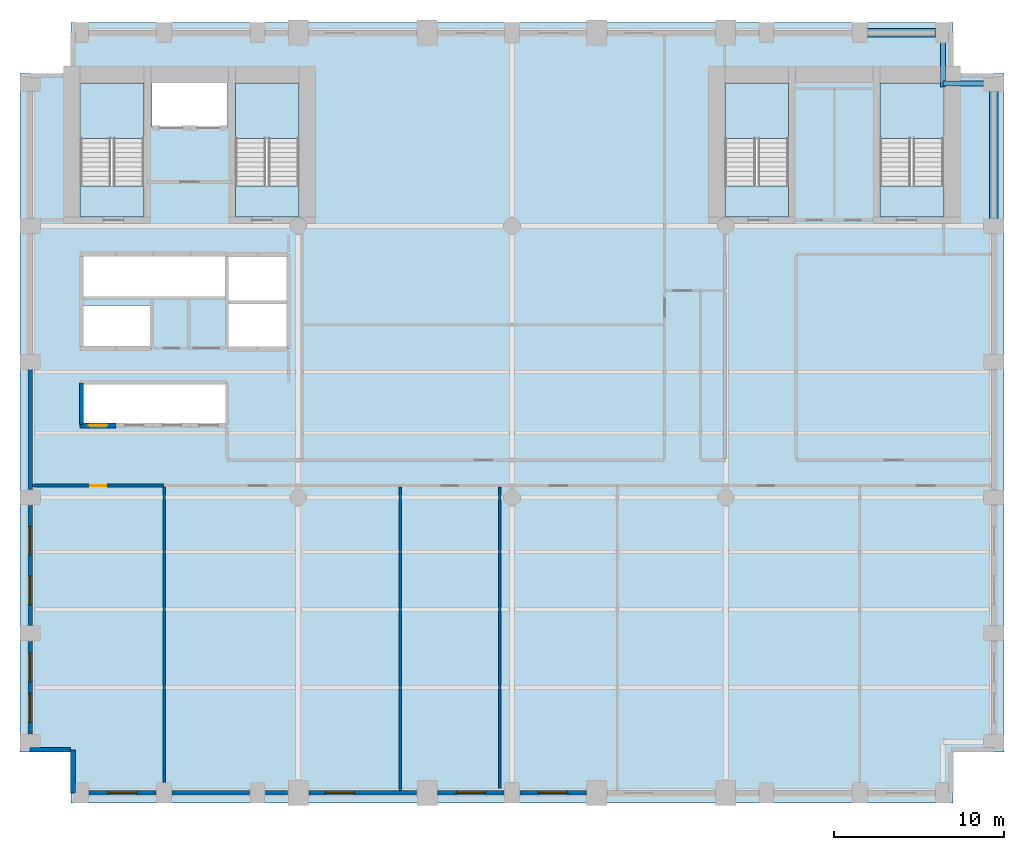
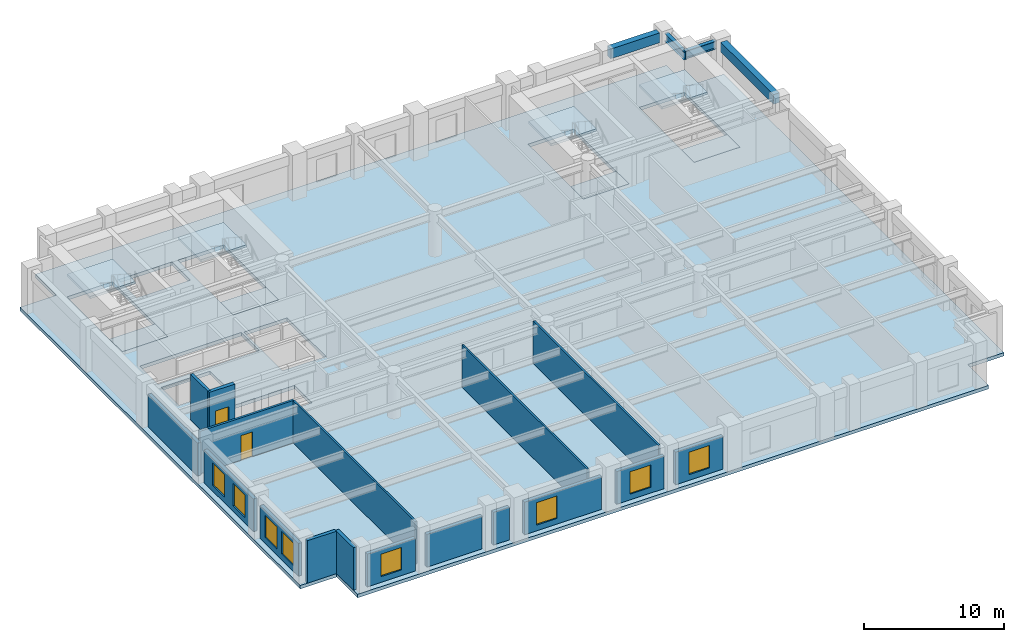
# One storey, part 2 of 8: 17 walls, 9 slabs, 8 windows, 4 beams, 2 doors, 10 openings, 4 elements without a shape of their own.
"""IFC4 building model written with IfcOpenShell, lengths in metres."""

from ifc_helpers import new_model, si_unit, direction, frame, frame_2d, origin, origin_2d, place, context, subcontext, project, spatial, polyline, rectangle, i_section, outline, extrude, material, layer, layer_set, material_profile, profile_set, type_object, element, fill, aggregate, save


model = new_model("IFC4")

# Units and contexts
model_context = context("Model", 3, precision=1e-05, world=origin(), true_north=direction((0.0, 1.0)))
body_context = subcontext(model_context, "Body", "Model", "MODEL_VIEW")
ifc_project = project(units=[si_unit("LENGTHUNIT", "METRE"), si_unit("AREAUNIT", "SQUARE_METRE"), si_unit("VOLUMEUNIT", "CUBIC_METRE"), si_unit("PLANEANGLEUNIT", "RADIAN"), si_unit("MASSUNIT", "GRAM", prefix="KILO")], contexts=[model_context])

# Site, building, storey
site_placement = place(None, origin())
site = spatial("IfcSite", under=ifc_project, at=site_placement, CompositionType="ELEMENT")
building_placement = place(site_placement, origin())
building = spatial("IfcBuilding", under=site, at=building_placement, Name="Sulina Concourse Tower", CompositionType="ELEMENT")
storey_placement = place(building_placement, frame((0.0, 0.0, 70.60009765625)))
storey = spatial("IfcBuildingStorey", under=building, at=storey_placement, Name="L17", CompositionType="ELEMENT", Elevation=70.60009765625)

# Beams
ifc_material_1 = material(Name="Steel S355", Category="steel")
ifc_material_profile_1 = material_profile(ifc_material_1, i_section(OverallWidth=0.300048828125, OverallDepth=0.699951171875, WebThickness=0.01708984375, FlangeThickness=0.031982421875, at=origin_2d()), Name="HE 700 B")
ifc_profile_set_1 = profile_set([ifc_material_profile_1], Name="Steel S355")
beam_type_1 = type_object("IfcBeamType", Name="Floor Primary Girder Zone 1 HE700B", PredefinedType="BEAM", material=ifc_profile_set_1)
beam_1_placement = place(storey_placement, frame((54.39990234375, 42.39990234375, 3.349853515625), z_axis=(1.0, 0.0, 0.0), x_axis=(0.0, 1.0, 0.0)))
element("IfcBeam", 1, at=beam_1_placement, inside=storey, type_object=beam_type_1, Name="TIE-NE-L17", PredefinedType="BEAM", context=body_context, shape_type="SweptSolid", body=[
    extrude(i_section(OverallWidth=0.300048828125, OverallDepth=0.699951171875, WebThickness=0.01708984375, FlangeThickness=0.031982421875, at=origin_2d()), origin(), (0.0, 0.0, 1.0), 2.570068359375),
])
beam_2_placement = place(storey_placement, frame((54.39990234375, 42.199951171875, 3.349853515625), z_axis=(0.0, 1.0, 0.0), x_axis=(-1.0, 0.0, 0.0)))
element("IfcBeam", 2, at=beam_2_placement, inside=storey, type_object=beam_type_1, Name="TIE-NEN-L17", PredefinedType="BEAM", context=body_context, shape_type="SweptSolid", body=[
    extrude(i_section(OverallWidth=0.300048828125, OverallDepth=0.699951171875, WebThickness=0.01708984375, FlangeThickness=0.031982421875, at=origin_2d()), origin(), (0.0, 0.0, 1.0), 2.77001953125),
])
ifc_material_2 = material(Name="Precast concrete C50/60", Category="concrete")
ifc_material_profile_2 = material_profile(ifc_material_2, rectangle(XDim=0.5, YDim=0.85009765625, at=origin_2d()), Name="RC 500x850")
ifc_profile_set_2 = profile_set([ifc_material_profile_2], Name="Precast concrete C50/60")
beam_type_2 = type_object("IfcBeamType", Name="Lower Precast Spandrel Edge Beam 500x850", PredefinedType="BEAM", material=ifc_profile_set_2)
beam_3_placement = place(storey_placement, frame((49.929931640625, 45.39990234375, 3.27490234375), z_axis=(1.0, 0.0, 0.0), x_axis=(0.0, 1.0, 0.0)))
element("IfcBeam", 3, at=beam_3_placement, inside=storey, type_object=beam_type_2, Name="SP-N10-L17", PredefinedType="BEAM", context=body_context, shape_type="SweptSolid", body=[
    extrude(rectangle(XDim=0.5, YDim=0.85009765625, at=origin_2d()), origin(), (0.0, 0.0, 1.0), 4.0400390625),
])
beam_4_placement = place(storey_placement, frame((57.39990234375, 34.429931640625, 3.27490234375), z_axis=(0.0, 1.0, 0.0), x_axis=(-1.0, 0.0, 0.0)))
element("IfcBeam", 4, at=beam_4_placement, inside=storey, type_object=beam_type_2, Name="SP-E5-L17", PredefinedType="BEAM", context=body_context, shape_type="SweptSolid", body=[
    extrude(rectangle(XDim=0.5, YDim=0.85009765625, at=origin_2d()), origin(), (0.0, 0.0, 1.0), 7.5400390625),
])

# Slabs
ifc_material_3 = material(Name="Concrete C50/60", Category="concrete")
ifc_layer_1 = layer(ifc_material_3, 0.300048828125)
ifc_layer_set_1 = layer_set([ifc_layer_1], Name="Concrete C50/60")
slab_type_1 = type_object("IfcSlabType", Name="Low-Rise Composite Floor Slab 300mm", PredefinedType="FLOOR", material=ifc_layer_set_1)
slab_1_placement = place(storey_placement, frame((0.0, 0.0, -0.300048828125)))
element("IfcSlab", 5, at=slab_1_placement, inside=storey, type_object=slab_type_1, Name="L17 structural floor slab", PredefinedType="FLOOR", context=body_context, shape_type="SweptSolid", body=[
    extrude(outline(polyline([(3.0, 0.0), (55.0, 0.0), (55.0, 3.0), (58.0, 3.0), (58.0, 43.0), (55.0, 43.0), (55.0, 46.0), (3.0, 46.0), (3.0, 43.0), (0.0, 43.0), (0.0, 3.0), (3.0, 3.0), (3.0, 0.0)]), holes=[polyline([(7.31005859375, 34.550048828125), (7.31005859375, 42.429931640625), (3.550048828125, 42.429931640625), (3.550048828125, 34.550048828125), (7.31005859375, 34.550048828125)]), polyline([(16.449951171875, 34.550048828125), (16.449951171875, 42.429931640625), (12.68994140625, 42.429931640625), (12.68994140625, 34.550048828125), (16.449951171875, 34.550048828125)]), polyline([(45.31005859375, 34.550048828125), (45.31005859375, 42.429931640625), (41.550048828125, 42.429931640625), (41.550048828125, 34.550048828125), (45.31005859375, 34.550048828125)]), polyline([(54.449951171875, 34.550048828125), (54.449951171875, 42.429931640625), (50.68994140625, 42.429931640625), (50.68994140625, 34.550048828125), (54.449951171875, 34.550048828125)]), polyline([(7.780029296875, 39.830078125), (12.219970703125, 39.830078125), (12.219970703125, 42.449951171875), (7.780029296875, 42.449951171875), (7.780029296875, 39.830078125)]), polyline([(3.739990234375, 26.780029296875), (7.77001953125, 26.780029296875), (7.77001953125, 29.320068359375), (3.739990234375, 29.320068359375), (3.739990234375, 26.780029296875)]), polyline([(3.739990234375, 29.780029296875), (12.10009765625, 29.780029296875), (12.10009765625, 32.3701171875), (3.739990234375, 32.3701171875), (3.739990234375, 29.780029296875)]), polyline([(3.739990234375, 22.280029296875), (12.10009765625, 22.280029296875), (12.10009765625, 24.77001953125), (3.739990234375, 24.77001953125), (3.739990234375, 22.280029296875)]), polyline([(12.280029296875, 26.780029296875), (15.85009765625, 26.780029296875), (15.85009765625, 32.320068359375), (12.280029296875, 32.320068359375), (12.280029296875, 26.780029296875)])]), origin(), (0.0, 0.0, 1.0), 0.300048828125),
])
ifc_material_4 = material(Name="Concrete C50/60", Category="concrete")
ifc_layer_2 = layer(ifc_material_4, 0.199951171875)
ifc_layer_set_2 = layer_set([ifc_layer_2], Name="Concrete C50/60")
slab_type_2 = type_object("IfcSlabType", Name="Primary Core Stair Landing Slab 200mm", PredefinedType="LANDING", material=ifc_layer_set_2)
slab_2_placement = place(storey_placement, frame((0.0, 0.0, -0.2001953125)))
element("IfcSlab", 6, at=slab_2_placement, inside=storey, type_object=slab_type_2, Name="L17 ST-1 floor landing slab", PredefinedType="LANDING", context=body_context, shape_type="SweptSolid", body=[
    extrude(outline(polyline([(7.31005859375, 34.550048828125), (7.31005859375, 36.375), (3.550048828125, 36.375), (3.550048828125, 34.550048828125), (7.31005859375, 34.550048828125)])), origin(), (0.0, 0.0, 1.0), 0.2001953125),
])
slab_3_placement = place(storey_placement, frame((0.0, 0.0, -0.2001953125)))
element("IfcSlab", 7, at=slab_3_placement, inside=storey, type_object=slab_type_2, Name="L17 ST-2 floor landing slab", PredefinedType="LANDING", context=body_context, shape_type="SweptSolid", body=[
    extrude(outline(polyline([(16.449951171875, 34.550048828125), (16.449951171875, 36.375), (12.68994140625, 36.375), (12.68994140625, 34.550048828125), (16.449951171875, 34.550048828125)])), origin(), (0.0, 0.0, 1.0), 0.2001953125),
])
slab_4_placement = place(storey_placement, frame((0.0, 0.0, -0.2001953125)))
element("IfcSlab", 8, at=slab_4_placement, inside=storey, type_object=slab_type_2, Name="L17 ST-3 floor landing slab", PredefinedType="LANDING", context=body_context, shape_type="SweptSolid", body=[
    extrude(outline(polyline([(45.31005859375, 34.550048828125), (45.31005859375, 36.375), (41.550048828125, 36.375), (41.550048828125, 34.550048828125), (45.31005859375, 34.550048828125)])), origin(), (0.0, 0.0, 1.0), 0.2001953125),
])
slab_5_placement = place(storey_placement, frame((0.0, 0.0, -0.2001953125)))
element("IfcSlab", 9, at=slab_5_placement, inside=storey, type_object=slab_type_2, Name="L17 ST-4 floor landing slab", PredefinedType="LANDING", context=body_context, shape_type="SweptSolid", body=[
    extrude(outline(polyline([(54.449951171875, 34.550048828125), (54.449951171875, 36.375), (50.68994140625, 36.375), (50.68994140625, 34.550048828125), (54.449951171875, 34.550048828125)])), origin(), (0.0, 0.0, 1.0), 0.2001953125),
])

# Stair, slab
ifc_material_5 = material(Name="Concrete C50/60", Category="concrete")
stair_type_1 = type_object("IfcStairType", Name="Primary Core Dog-Leg Exit Stair 1800mm", PredefinedType="HALF_TURN_STAIR", material=ifc_material_5)
stair_1_placement = place(storey_placement, origin())
stair_1 = element("IfcStair", 10, at=stair_1_placement, inside=storey, type_object=stair_type_1, Name="L17 ST-1", PredefinedType="HALF_TURN_STAIR")
slab_6_placement = place(storey_placement, frame((0.0, 0.0, 1.7998046875)))
slab_6 = element("IfcSlab", 11, at=slab_6_placement, type_object=slab_type_2, Name="ST-1 landing 1", PredefinedType="LANDING", context=body_context, shape_type="SweptSolid", body=[
    extrude(outline(polyline([(7.304931640625, 39.175048828125), (7.304931640625, 42.425048828125), (3.554931640625, 42.425048828125), (3.554931640625, 39.175048828125), (7.304931640625, 39.175048828125)])), origin(), (0.0, 0.0, 1.0), 0.2001953125),
])
aggregate(stair_1, [slab_6])

stair_2_placement = place(storey_placement, origin())
stair_2 = element("IfcStair", 12, at=stair_2_placement, inside=storey, type_object=stair_type_1, Name="L17 ST-2", PredefinedType="HALF_TURN_STAIR")
slab_7_placement = place(storey_placement, frame((0.0, 0.0, 1.7998046875)))
slab_7 = element("IfcSlab", 13, at=slab_7_placement, type_object=slab_type_2, Name="ST-2 landing 1", PredefinedType="LANDING", context=body_context, shape_type="SweptSolid", body=[
    extrude(outline(polyline([(16.445068359375, 39.175048828125), (16.445068359375, 42.425048828125), (12.695068359375, 42.425048828125), (12.695068359375, 39.175048828125), (16.445068359375, 39.175048828125)])), origin(), (0.0, 0.0, 1.0), 0.2001953125),
])
aggregate(stair_2, [slab_7])

ifc_material_6 = material(Name="Concrete C50/60", Category="concrete")
stair_type_2 = type_object("IfcStairType", Name="Portal & Podium Core Exit Stair 1820mm", PredefinedType="HALF_TURN_STAIR", material=ifc_material_6)
stair_3_placement = place(storey_placement, origin())
stair_3 = element("IfcStair", 14, at=stair_3_placement, inside=storey, type_object=stair_type_2, Name="L17 ST-3", PredefinedType="HALF_TURN_STAIR")
slab_8_placement = place(storey_placement, frame((0.0, 0.0, 1.7998046875)))
slab_8 = element("IfcSlab", 15, at=slab_8_placement, type_object=slab_type_2, Name="ST-3 landing 1", PredefinedType="LANDING", context=body_context, shape_type="SweptSolid", body=[
    extrude(outline(polyline([(45.304931640625, 39.175048828125), (45.304931640625, 42.425048828125), (41.554931640625, 42.425048828125), (41.554931640625, 39.175048828125), (45.304931640625, 39.175048828125)])), origin(), (0.0, 0.0, 1.0), 0.2001953125),
])
aggregate(stair_3, [slab_8])

stair_4_placement = place(storey_placement, origin())
stair_4 = element("IfcStair", 16, at=stair_4_placement, inside=storey, type_object=stair_type_2, Name="L17 ST-4", PredefinedType="HALF_TURN_STAIR")
slab_9_placement = place(storey_placement, frame((0.0, 0.0, 1.7998046875)))
slab_9 = element("IfcSlab", 17, at=slab_9_placement, type_object=slab_type_2, Name="ST-4 landing 1", PredefinedType="LANDING", context=body_context, shape_type="SweptSolid", body=[
    extrude(outline(polyline([(54.445068359375, 39.175048828125), (54.445068359375, 42.425048828125), (50.695068359375, 42.425048828125), (50.695068359375, 39.175048828125), (54.445068359375, 39.175048828125)])), origin(), (0.0, 0.0, 1.0), 0.2001953125),
])
aggregate(stair_4, [slab_9])

# Wall
ifc_material_7 = material(Name="Concrete C50/60", Category="concrete")
ifc_layer_3 = layer(ifc_material_7, 0.219970703125)
ifc_layer_set_3 = layer_set([ifc_layer_3], Name="Concrete C50/60")
wall_type_1 = type_object("IfcWallType", Name="Core Lift Hoistway Divider Wall 220mm", PredefinedType="SOLIDWALL", material=ifc_layer_set_3)
wall_1_placement = place(storey_placement, frame((3.6298828125, 22.300048828125, 0.0), z_axis=(0.0, 0.0, 1.0), x_axis=(0.0, 1.0, 0.0)))
element("IfcWall", 18, at=wall_1_placement, inside=storey, type_object=wall_type_1, Name="L17 shaft divider wall HW-LP1-W", PredefinedType="SOLIDWALL", context=body_context, shape_type="SweptSolid", body=[
    extrude(rectangle(XDim=2.449951171875, YDim=0.219970703125, at=frame_2d((1.22509765625, 0.0))), origin(), (0.0, 0.0, 1.0), 4.0),
])

# Wall, opening, door
ifc_material_8 = material(Name="Concrete C50/60", Category="concrete")
ifc_layer_4 = layer(ifc_material_8, 0.300048828125)
ifc_layer_set_4 = layer_set([ifc_layer_4], Name="Concrete C50/60")
wall_type_2 = type_object("IfcWallType", Name="Core Lift Hoistway Wall 300mm", PredefinedType="SOLIDWALL", material=ifc_layer_set_4)
wall_2_placement = place(storey_placement, frame((5.64990234375, 22.25, 0.0), z_axis=(0.0, 0.0, 1.0), x_axis=(-1.0, 0.0, 0.0)))
wall_2 = element("IfcWall", 19, at=wall_2_placement, inside=storey, type_object=wall_type_2, Name="L17 hoistway enclosure wall LP-01", PredefinedType="SOLIDWALL", context=body_context, shape_type="SweptSolid", body=[
    extrude(rectangle(XDim=2.099853515625, YDim=0.300048828125, at=frame_2d((1.0498046875, 0.0))), origin(), (0.0, 0.0, 1.0), 4.0),
])
opening_1_placement = place(wall_2_placement, frame((0.5, 0.0, 0.0)))
opening_1 = element("IfcOpeningElement", 20, at=opening_1_placement, cuts=wall_2, Name="Opening LD-01", PredefinedType="OPENING", context=body_context, shape_type="SweptSolid", body=[
    extrude(rectangle(XDim=1.10009765625, YDim=2.199951171875, at=frame_2d((0.550048828125, 1.10009765625))), frame((0.0, 0.159912109375, 0.0), z_axis=(0.0, -1.0, 0.0), x_axis=(1.0, 0.0, 0.0)), (0.0, 0.0, 1.0), 0.320068359375),
])
ifc_material_9 = material(Name="Stainless steel lift landing door", Category="steel")
ifc_layer_5 = layer(ifc_material_9, 0.050048828125)
ifc_layer_set_5 = layer_set([ifc_layer_5], Name="Stainless steel lift landing door")
door_type_1 = type_object("IfcDoorType", Name="Passenger Lift Sliding Landing Door 1100x2200", OperationType="SLIDING_TO_LEFT", PredefinedType="DOOR", material=ifc_layer_set_5)
door_1_placement = place(opening_1_placement, origin())
door_1 = element("IfcDoor", 21, at=door_1_placement, inside=storey, type_object=door_type_1, Name="L17 lift landing sliding door LP-01", OperationType="SLIDING_TO_LEFT", OverallHeight=2.199951171875, OverallWidth=1.10009765625, PredefinedType="DOOR", context=body_context, shape_type="SweptSolid", body=[
    extrude(rectangle(XDim=1.10009765625, YDim=2.199951171875, at=frame_2d((0.550048828125, 1.10009765625))), frame((0.0, 0.02490234375, 0.0), z_axis=(0.0, -1.0, 0.0), x_axis=(1.0, 0.0, 0.0)), (0.0, 0.0, 1.0), 0.050048828125),
])
fill(opening_1, door_1)

# Walls
ifc_material_10 = material(Name="Gypsum board on steel stud", Category="steel")
ifc_layer_6 = layer(ifc_material_10, 0.14990234375)
ifc_layer_set_6 = layer_set([ifc_layer_6], Name="Gypsum board on steel stud")
wall_type_3 = type_object("IfcWallType", Name="Inter-Tenancy Acoustic Partition 150mm", PredefinedType="PARTITIONING", material=ifc_layer_set_6)
wall_3_placement = place(storey_placement, frame((8.5, 1.199951171875, 0.0), z_axis=(0.0, 0.0, 1.0), x_axis=(0.0, 1.0, 0.0)))
element("IfcWall", 22, at=wall_3_placement, inside=storey, type_object=wall_type_3, Name="L17 interior partition 021", PredefinedType="PARTITIONING", context=body_context, shape_type="SweptSolid", body=[
    extrude(rectangle(XDim=17.41015625, YDim=0.14990234375, at=frame_2d((8.705078125, 0.0))), origin(), (0.0, 0.0, 1.0), 3.699951171875),
])
for number, where, z_axis, x_axis, name in (
    (23, (22.39990234375, 0.739990234375, 0.0), (0.0, 0.0, 1.0), (0.0, 1.0, 0.0), "L17 interior partition 028"),
    (24, (28.2900390625, 0.739990234375, 0.0), (0.0, 0.0, 1.0), (0.0, 1.0, 0.0), "L17 interior partition 029"),
):
    element("IfcWall", number, at=place(storey_placement, frame(where, z_axis=z_axis, x_axis=x_axis)), inside=storey, type_object=wall_type_3, Name=name, PredefinedType="PARTITIONING", context=body_context, shape_type="SweptSolid", body=[
        extrude(rectangle(XDim=17.8701171875, YDim=0.14990234375, at=frame_2d((8.93505859375, 0.0))), origin(), (0.0, 0.0, 1.0), 3.699951171875),
    ])

# Wall, opening, door
ifc_material_11 = material(Name="Gypsum board on steel stud", Category="steel")
ifc_layer_7 = layer(ifc_material_11, 0.179931640625)
ifc_layer_set_7 = layer_set([ifc_layer_7], Name="Gypsum board on steel stud")
wall_type_4 = type_object("IfcWallType", Name="Protected Corridor & Riser Partition 180mm", PredefinedType="PARTITIONING", material=ifc_layer_set_7)
wall_4_placement = place(storey_placement, frame((0.739990234375, 18.699951171875, 0.0), z_axis=(0.0, 0.0, 1.0), x_axis=(1.0, 0.0, 0.0)))
wall_4 = element("IfcWall", 25, at=wall_4_placement, inside=storey, type_object=wall_type_4, Name="L17 interior partition 001", PredefinedType="PARTITIONING", context=body_context, shape_type="SweptSolid", body=[
    extrude(rectangle(XDim=7.760009765625, YDim=0.179931640625, at=frame_2d((3.8798828125, 0.0))), origin(), (0.0, 0.0, 1.0), 3.699951171875),
])
opening_2_placement = place(wall_4_placement, frame((3.405029296875, 0.0, 0.0)))
opening_2 = element("IfcOpeningElement", 26, at=opening_2_placement, cuts=wall_4, Name="Opening DR-19", PredefinedType="OPENING", context=body_context, shape_type="SweptSolid", body=[
    extrude(rectangle(XDim=0.949951171875, YDim=2.14990234375, at=frame_2d((0.47509765625, 1.074951171875))), frame((0.0, 0.099853515625, 0.0), z_axis=(0.0, -1.0, 0.0), x_axis=(1.0, 0.0, 0.0)), (0.0, 0.0, 1.0), 0.199951171875),
])
ifc_material_12 = material(Name="Oak-veneered acoustic timber leaf", Category="wood")
ifc_layer_8 = layer(ifc_material_12, 0.050048828125)
ifc_layer_set_8 = layer_set([ifc_layer_8], Name="Oak-veneered acoustic timber leaf")
door_type_2 = type_object("IfcDoorType", Name="Cellular Office & Meeting Door 950x2150", OperationType="NOTDEFINED", PredefinedType="DOOR", material=ifc_layer_set_8)
door_2_placement = place(opening_2_placement, origin())
door_2 = element("IfcDoor", 27, at=door_2_placement, inside=storey, type_object=door_type_2, Name="L17 interior door L17-S01", OperationType="SINGLE_SWING_LEFT", OverallHeight=2.14990234375, OverallWidth=0.949951171875, PredefinedType="DOOR", context=body_context, shape_type="SweptSolid", body=[
    extrude(rectangle(XDim=0.949951171875, YDim=2.14990234375, at=frame_2d((0.47509765625, 1.074951171875))), frame((0.0, 0.02490234375, 0.0), z_axis=(0.0, -1.0, 0.0), x_axis=(1.0, 0.0, 0.0)), (0.0, 0.0, 1.0), 0.050048828125),
])
fill(opening_2, door_2)

# Wall, opening, window
ifc_material_13 = material(Name="Precast concrete C50/60", Category="concrete")
ifc_layer_9 = layer(ifc_material_13, 0.280029296875)
ifc_layer_set_9 = layer_set([ifc_layer_9], Name="Precast concrete C50/60")
wall_type_5 = type_object("IfcWallType", Name="Typical Precast Masonry-Frame Facade Wall 280mm", PredefinedType="SOLIDWALL", material=ifc_layer_set_9)
wall_5_placement = place(storey_placement, frame((8.030029296875, 0.60009765625, 0.0), z_axis=(0.0, 0.0, 1.0), x_axis=(-1.0, 0.0, 0.0)))
wall_5 = element("IfcWall", 28, at=wall_5_placement, inside=storey, type_object=wall_type_5, Name="L17 exterior precast wall S1", PredefinedType="SOLIDWALL", context=body_context, shape_type="SweptSolid", body=[
    extrude(rectangle(XDim=3.9599609375, YDim=0.280029296875, at=frame_2d((1.97998046875, 0.0))), origin(), (0.0, 0.0, 1.0), 2.849853515625),
])
opening_3_placement = place(wall_5_placement, frame((1.1298828125, 0.0, 0.5)))
opening_3 = element("IfcOpeningElement", 29, at=opening_3_placement, cuts=wall_5, Name="Opening WN-66", PredefinedType="OPENING", context=body_context, shape_type="SweptSolid", body=[
    extrude(rectangle(XDim=1.699951171875, YDim=1.949951171875, at=frame_2d((0.85009765625, 0.97509765625))), frame((0.0, 0.14990234375, 0.0), z_axis=(0.0, -1.0, 0.0), x_axis=(1.0, 0.0, 0.0)), (0.0, 0.0, 1.0), 0.300048828125),
])
ifc_material_14 = material(Name="Low-E solar double glazing in bronze aluminium", Category="aluminium")
window_type = type_object("IfcWindowType", Name="Recessed Spandrel Window 1700x1950", PartitioningType="SINGLE_PANEL", PredefinedType="WINDOW", material=ifc_material_14)
window_1_placement = place(opening_3_placement, origin())
window_1 = element("IfcWindow", 30, at=window_1_placement, inside=storey, type_object=window_type, Name="L17 punched window S1-1", OverallHeight=1.949951171875, OverallWidth=1.699951171875, PartitioningType="SINGLE_PANEL", PredefinedType="WINDOW", context=body_context, shape_type="SweptSolid", body=[
    extrude(rectangle(XDim=1.699951171875, YDim=1.949951171875, at=frame_2d((0.85009765625, 0.97509765625))), frame((0.0, 0.030029296875, 0.0), z_axis=(0.0, -1.0, 0.0), x_axis=(1.0, 0.0, 0.0)), (0.0, 0.0, 1.0), 0.06005859375),
])
fill(opening_3, window_1)

# Walls
wall_6_placement = place(storey_placement, frame((13.530029296875, 0.60009765625, 0.0), z_axis=(0.0, 0.0, 1.0), x_axis=(-1.0, 0.0, 0.0)))
element("IfcWall", 31, at=wall_6_placement, inside=storey, type_object=wall_type_5, Name="L17 exterior precast wall S2", PredefinedType="SOLIDWALL", context=body_context, shape_type="SweptSolid", body=[
    extrude(rectangle(XDim=4.56005859375, YDim=0.280029296875, at=frame_2d((2.280029296875, 0.0))), origin(), (0.0, 0.0, 1.0), 2.849853515625),
])
wall_7_placement = place(storey_placement, frame((15.780029296875, 0.60009765625, 0.0), z_axis=(0.0, 0.0, 1.0), x_axis=(-1.0, 0.0, 0.0)))
element("IfcWall", 32, at=wall_7_placement, inside=storey, type_object=wall_type_5, Name="L17 exterior precast wall S3", PredefinedType="SOLIDWALL", context=body_context, shape_type="SweptSolid", body=[
    extrude(rectangle(XDim=1.31005859375, YDim=0.280029296875, at=frame_2d((0.655029296875, 0.0))), origin(), (0.0, 0.0, 1.0), 2.849853515625),
])

# Wall, opening, window
wall_8_placement = place(storey_placement, frame((23.3798828125, 0.60009765625, 0.0), z_axis=(0.0, 0.0, 1.0), x_axis=(-1.0, 0.0, 0.0)))
wall_8 = element("IfcWall", 33, at=wall_8_placement, inside=storey, type_object=wall_type_5, Name="L17 exterior precast wall S4", PredefinedType="SOLIDWALL", context=body_context, shape_type="SweptSolid", body=[
    extrude(rectangle(XDim=6.35986328125, YDim=0.280029296875, at=frame_2d((3.179931640625, 0.0))), origin(), (0.0, 0.0, 1.0), 2.849853515625),
])
opening_4_placement = place(wall_8_placement, frame((3.67333984375, 0.0, 0.5)))
opening_4 = element("IfcOpeningElement", 34, at=opening_4_placement, cuts=wall_8, Name="Opening WN-66", PredefinedType="OPENING", context=body_context, shape_type="SweptSolid", body=[
    extrude(rectangle(XDim=1.699951171875, YDim=1.949951171875, at=frame_2d((0.85009765625, 0.97509765625))), frame((0.0, 0.14990234375, 0.0), z_axis=(0.0, -1.0, 0.0), x_axis=(1.0, 0.0, 0.0)), (0.0, 0.0, 1.0), 0.300048828125),
])
window_2_placement = place(opening_4_placement, origin())
window_2 = element("IfcWindow", 35, at=window_2_placement, inside=storey, type_object=window_type, Name="L17 punched window S4-1", OverallHeight=1.949951171875, OverallWidth=1.699951171875, PartitioningType="SINGLE_PANEL", PredefinedType="WINDOW", context=body_context, shape_type="SweptSolid", body=[
    extrude(rectangle(XDim=1.699951171875, YDim=1.949951171875, at=frame_2d((0.85009765625, 0.97509765625))), frame((0.0, 0.030029296875, 0.0), z_axis=(0.0, -1.0, 0.0), x_axis=(1.0, 0.0, 0.0)), (0.0, 0.0, 1.0), 0.06005859375),
])
fill(opening_4, window_2)

wall_9_placement = place(storey_placement, frame((28.530029296875, 0.60009765625, 0.0), z_axis=(0.0, 0.0, 1.0), x_axis=(-1.0, 0.0, 0.0)))
wall_9 = element("IfcWall", 36, at=wall_9_placement, inside=storey, type_object=wall_type_5, Name="L17 exterior precast wall S5", PredefinedType="SOLIDWALL", context=body_context, shape_type="SweptSolid", body=[
    extrude(rectangle(XDim=3.909912109375, YDim=0.280029296875, at=frame_2d((1.955078125, 0.0))), origin(), (0.0, 0.0, 1.0), 2.849853515625),
])
opening_5_placement = place(wall_9_placement, frame((1.10498046875, 0.0, 0.5)))
opening_5 = element("IfcOpeningElement", 37, at=opening_5_placement, cuts=wall_9, Name="Opening WN-66", PredefinedType="OPENING", context=body_context, shape_type="SweptSolid", body=[
    extrude(rectangle(XDim=1.699951171875, YDim=1.949951171875, at=frame_2d((0.85009765625, 0.97509765625))), frame((0.0, 0.14990234375, 0.0), z_axis=(0.0, -1.0, 0.0), x_axis=(1.0, 0.0, 0.0)), (0.0, 0.0, 1.0), 0.300048828125),
])
window_3_placement = place(opening_5_placement, origin())
window_3 = element("IfcWindow", 38, at=window_3_placement, inside=storey, type_object=window_type, Name="L17 punched window S5-1", OverallHeight=1.949951171875, OverallWidth=1.699951171875, PartitioningType="SINGLE_PANEL", PredefinedType="WINDOW", context=body_context, shape_type="SweptSolid", body=[
    extrude(rectangle(XDim=1.699951171875, YDim=1.949951171875, at=frame_2d((0.85009765625, 0.97509765625))), frame((0.0, 0.030029296875, 0.0), z_axis=(0.0, -1.0, 0.0), x_axis=(1.0, 0.0, 0.0)), (0.0, 0.0, 1.0), 0.06005859375),
])
fill(opening_5, window_3)

wall_10_placement = place(storey_placement, frame((33.3798828125, 0.60009765625, 0.0), z_axis=(0.0, 0.0, 1.0), x_axis=(-1.0, 0.0, 0.0)))
wall_10 = element("IfcWall", 39, at=wall_10_placement, inside=storey, type_object=wall_type_5, Name="L17 exterior precast wall S6", PredefinedType="SOLIDWALL", context=body_context, shape_type="SweptSolid", body=[
    extrude(rectangle(XDim=3.909912109375, YDim=0.280029296875, at=frame_2d((1.955078125, 0.0))), origin(), (0.0, 0.0, 1.0), 2.849853515625),
])
opening_6_placement = place(wall_10_placement, frame((1.10498046875, 0.0, 0.5)))
opening_6 = element("IfcOpeningElement", 40, at=opening_6_placement, cuts=wall_10, Name="Opening WN-66", PredefinedType="OPENING", context=body_context, shape_type="SweptSolid", body=[
    extrude(rectangle(XDim=1.699951171875, YDim=1.949951171875, at=frame_2d((0.85009765625, 0.97509765625))), frame((0.0, 0.14990234375, 0.0), z_axis=(0.0, -1.0, 0.0), x_axis=(1.0, 0.0, 0.0)), (0.0, 0.0, 1.0), 0.300048828125),
])
window_4_placement = place(opening_6_placement, origin())
window_4 = element("IfcWindow", 41, at=window_4_placement, inside=storey, type_object=window_type, Name="L17 punched window S6-1", OverallHeight=1.949951171875, OverallWidth=1.699951171875, PartitioningType="SINGLE_PANEL", PredefinedType="WINDOW", context=body_context, shape_type="SweptSolid", body=[
    extrude(rectangle(XDim=1.699951171875, YDim=1.949951171875, at=frame_2d((0.85009765625, 0.97509765625))), frame((0.0, 0.030029296875, 0.0), z_axis=(0.0, -1.0, 0.0), x_axis=(1.0, 0.0, 0.0)), (0.0, 0.0, 1.0), 0.06005859375),
])
fill(opening_6, window_4)

# Wall, openings, windows
wall_11_placement = place(storey_placement, frame((0.60009765625, 4.070068359375, 0.0), z_axis=(0.0, 0.0, 1.0), x_axis=(0.0, 1.0, 0.0)))
wall_11 = element("IfcWall", 42, at=wall_11_placement, inside=storey, type_object=wall_type_5, Name="L17 exterior precast wall W1", PredefinedType="SOLIDWALL", context=body_context, shape_type="SweptSolid", body=[
    extrude(rectangle(XDim=5.4599609375, YDim=0.280029296875, at=frame_2d((2.72998046875, 0.0))), origin(), (0.0, 0.0, 1.0), 2.849853515625),
])
opening_7_placement = place(wall_11_placement, frame((0.686767578125, 0.0, 0.5)))
opening_7 = element("IfcOpeningElement", 43, at=opening_7_placement, cuts=wall_11, Name="Opening WN-66", PredefinedType="OPENING", context=body_context, shape_type="SweptSolid", body=[
    extrude(rectangle(XDim=1.699951171875, YDim=1.949951171875, at=frame_2d((0.85009765625, 0.97509765625))), frame((0.0, 0.14990234375, 0.0), z_axis=(0.0, -1.0, 0.0), x_axis=(1.0, 0.0, 0.0)), (0.0, 0.0, 1.0), 0.300048828125),
])
opening_8_placement = place(wall_11_placement, frame((3.0732421875, 0.0, 0.5)))
opening_8 = element("IfcOpeningElement", 44, at=opening_8_placement, cuts=wall_11, Name="Opening WN-66", PredefinedType="OPENING", context=body_context, shape_type="SweptSolid", body=[
    extrude(rectangle(XDim=1.699951171875, YDim=1.949951171875, at=frame_2d((0.85009765625, 0.97509765625))), frame((0.0, 0.14990234375, 0.0), z_axis=(0.0, -1.0, 0.0), x_axis=(1.0, 0.0, 0.0)), (0.0, 0.0, 1.0), 0.300048828125),
])
window_5_placement = place(opening_7_placement, origin())
window_5 = element("IfcWindow", 45, at=window_5_placement, inside=storey, type_object=window_type, Name="L17 punched window W1-1", OverallHeight=1.949951171875, OverallWidth=1.699951171875, PartitioningType="SINGLE_PANEL", PredefinedType="WINDOW", context=body_context, shape_type="SweptSolid", body=[
    extrude(rectangle(XDim=1.699951171875, YDim=1.949951171875, at=frame_2d((0.85009765625, 0.97509765625))), frame((0.0, 0.030029296875, 0.0), z_axis=(0.0, -1.0, 0.0), x_axis=(1.0, 0.0, 0.0)), (0.0, 0.0, 1.0), 0.06005859375),
])
fill(opening_7, window_5)
window_6_placement = place(opening_8_placement, origin())
window_6 = element("IfcWindow", 46, at=window_6_placement, inside=storey, type_object=window_type, Name="L17 punched window W1-2", OverallHeight=1.949951171875, OverallWidth=1.699951171875, PartitioningType="SINGLE_PANEL", PredefinedType="WINDOW", context=body_context, shape_type="SweptSolid", body=[
    extrude(rectangle(XDim=1.699951171875, YDim=1.949951171875, at=frame_2d((0.85009765625, 0.97509765625))), frame((0.0, 0.030029296875, 0.0), z_axis=(0.0, -1.0, 0.0), x_axis=(1.0, 0.0, 0.0)), (0.0, 0.0, 1.0), 0.06005859375),
])
fill(opening_8, window_6)

wall_12_placement = place(storey_placement, frame((0.60009765625, 10.469970703125, 0.0), z_axis=(0.0, 0.0, 1.0), x_axis=(0.0, 1.0, 0.0)))
wall_12 = element("IfcWall", 47, at=wall_12_placement, inside=storey, type_object=wall_type_5, Name="L17 exterior precast wall W2", PredefinedType="SOLIDWALL", context=body_context, shape_type="SweptSolid", body=[
    extrude(rectangle(XDim=7.06005859375, YDim=0.280029296875, at=frame_2d((3.530029296875, 0.0))), origin(), (0.0, 0.0, 1.0), 2.849853515625),
])
opening_9_placement = place(wall_12_placement, frame((1.219970703125, 0.0, 0.5)))
opening_9 = element("IfcOpeningElement", 48, at=opening_9_placement, cuts=wall_12, Name="Opening WN-66", PredefinedType="OPENING", context=body_context, shape_type="SweptSolid", body=[
    extrude(rectangle(XDim=1.699951171875, YDim=1.949951171875, at=frame_2d((0.85009765625, 0.97509765625))), frame((0.0, 0.14990234375, 0.0), z_axis=(0.0, -1.0, 0.0), x_axis=(1.0, 0.0, 0.0)), (0.0, 0.0, 1.0), 0.300048828125),
])
opening_10_placement = place(wall_12_placement, frame((4.139892578125, 0.0, 0.5)))
opening_10 = element("IfcOpeningElement", 49, at=opening_10_placement, cuts=wall_12, Name="Opening WN-66", PredefinedType="OPENING", context=body_context, shape_type="SweptSolid", body=[
    extrude(rectangle(XDim=1.699951171875, YDim=1.949951171875, at=frame_2d((0.85009765625, 0.97509765625))), frame((0.0, 0.14990234375, 0.0), z_axis=(0.0, -1.0, 0.0), x_axis=(1.0, 0.0, 0.0)), (0.0, 0.0, 1.0), 0.300048828125),
])
window_7_placement = place(opening_9_placement, origin())
window_7 = element("IfcWindow", 50, at=window_7_placement, inside=storey, type_object=window_type, Name="L17 punched window W2-1", OverallHeight=1.949951171875, OverallWidth=1.699951171875, PartitioningType="SINGLE_PANEL", PredefinedType="WINDOW", context=body_context, shape_type="SweptSolid", body=[
    extrude(rectangle(XDim=1.699951171875, YDim=1.949951171875, at=frame_2d((0.85009765625, 0.97509765625))), frame((0.0, 0.030029296875, 0.0), z_axis=(0.0, -1.0, 0.0), x_axis=(1.0, 0.0, 0.0)), (0.0, 0.0, 1.0), 0.06005859375),
])
fill(opening_9, window_7)
window_8_placement = place(opening_10_placement, origin())
window_8 = element("IfcWindow", 51, at=window_8_placement, inside=storey, type_object=window_type, Name="L17 punched window W2-2", OverallHeight=1.949951171875, OverallWidth=1.699951171875, PartitioningType="SINGLE_PANEL", PredefinedType="WINDOW", context=body_context, shape_type="SweptSolid", body=[
    extrude(rectangle(XDim=1.699951171875, YDim=1.949951171875, at=frame_2d((0.85009765625, 0.97509765625))), frame((0.0, 0.030029296875, 0.0), z_axis=(0.0, -1.0, 0.0), x_axis=(1.0, 0.0, 0.0)), (0.0, 0.0, 1.0), 0.06005859375),
])
fill(opening_10, window_8)

# Walls
wall_13_placement = place(storey_placement, frame((0.60009765625, 18.469970703125, 0.0), z_axis=(0.0, 0.0, 1.0), x_axis=(0.0, 1.0, 0.0)))
element("IfcWall", 52, at=wall_13_placement, inside=storey, type_object=wall_type_5, Name="L17 exterior precast wall W3", PredefinedType="SOLIDWALL", context=body_context, shape_type="SweptSolid", body=[
    extrude(rectangle(XDim=7.06005859375, YDim=0.280029296875, at=frame_2d((3.530029296875, 0.0))), origin(), (0.0, 0.0, 1.0), 2.849853515625),
])
wall_14_placement = place(storey_placement, frame((3.1298828125, 0.60009765625, 0.0), z_axis=(0.0, 0.0, 1.0), x_axis=(0.0, 1.0, 0.0)))
element("IfcWall", 53, at=wall_14_placement, inside=storey, type_object=wall_type_5, Name="L17 exterior precast wall CSW1", PredefinedType="SOLIDWALL", context=body_context, shape_type="SweptSolid", body=[
    extrude(rectangle(XDim=2.52978515625, YDim=0.280029296875, at=frame_2d((1.264892578125, 0.0))), origin(), (0.0, 0.0, 1.0), 3.699951171875),
])
wall_15_placement = place(storey_placement, frame((2.985107421875, 3.1298828125, 0.0), z_axis=(0.0, 0.0, 1.0), x_axis=(-1.0, 0.0, 0.0)))
element("IfcWall", 54, at=wall_15_placement, inside=storey, type_object=wall_type_5, Name="L17 exterior precast wall CSW2", PredefinedType="SOLIDWALL", context=body_context, shape_type="SweptSolid", body=[
    extrude(rectangle(XDim=2.385009765625, YDim=0.280029296875, at=frame_2d((1.1923828125, 0.0))), origin(), (0.0, 0.0, 1.0), 3.699951171875),
])

save(model, "model.ifc")
